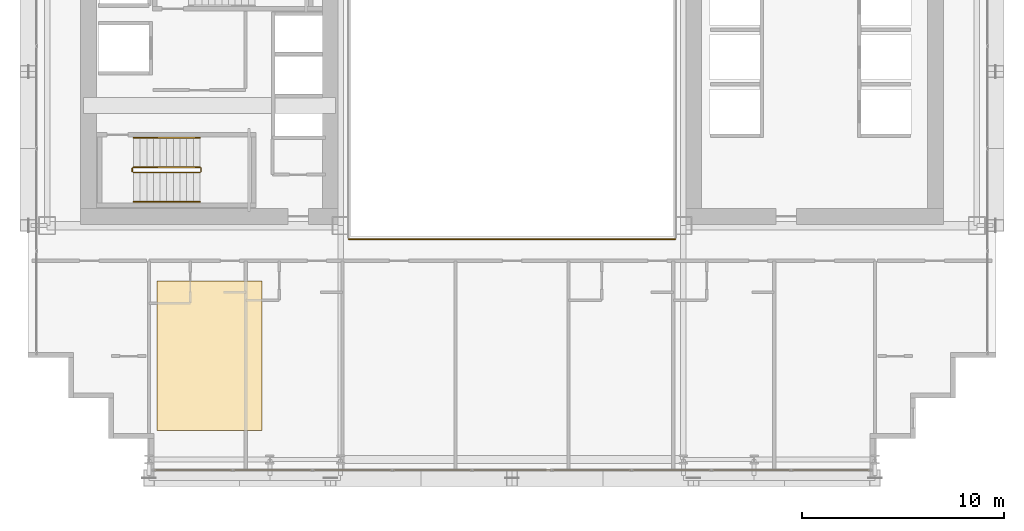
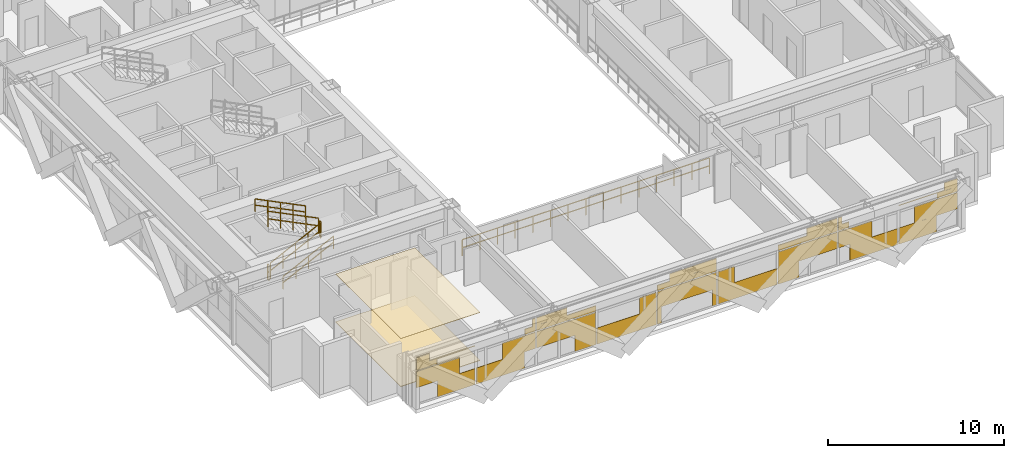
# One storey, part 35 of 38: 7 railings, 3 coverings.
"""IFC4 building model written with IfcOpenShell, lengths in metres."""

from ifc_helpers import new_model, si_unit, direction, frame, origin, origin_2d, place, context, subcontext, project, spatial, polyline, rectangle, outline, extrude, material, layer, layer_set, type_object, element, save


model = new_model("IFC4")

# Units and contexts
model_context = context("Model", 3, precision=1e-05, world=origin(), true_north=direction((0.0, 1.0)))
body_context = subcontext(model_context, "Body", "Model", "MODEL_VIEW")
ifc_project = project(units=[si_unit("LENGTHUNIT", "METRE"), si_unit("AREAUNIT", "SQUARE_METRE"), si_unit("VOLUMEUNIT", "CUBIC_METRE"), si_unit("PLANEANGLEUNIT", "RADIAN"), si_unit("MASSUNIT", "GRAM", prefix="KILO")], contexts=[model_context])

# Site, building, storey
site_placement = place(None, origin())
site = spatial("IfcSite", under=ifc_project, at=site_placement, CompositionType="ELEMENT")
building_placement = place(site_placement, origin())
building = spatial("IfcBuilding", under=site, at=building_placement, Name="Ocotamira Hotel", CompositionType="ELEMENT")
storey_placement = place(building_placement, frame((0.0, 0.0, 74.39990234375)))
storey = spatial("IfcBuildingStorey", under=building, at=storey_placement, Name="L18", CompositionType="ELEMENT", Elevation=74.39990234375)

# Coverings
ifc_material_1 = material(Name="Perforated acoustic gypsum ceiling board", Category="gypsum")
ifc_layer_1 = layer(ifc_material_1, 0.02490234375)
ifc_layer_set_1 = layer_set([ifc_layer_1], Name="Perforated acoustic gypsum ceiling board")
covering_type_1 = type_object("IfcCoveringType", Name="COV-CEIL-25", PredefinedType="CEILING", material=ifc_layer_set_1)
covering_1_placement = place(storey_placement, frame((0.0, 0.0, 3.3251953125)))
element("IfcCovering", 1, at=covering_1_placement, inside=storey, type_object=covering_type_1, Name="L18 Acoustic Ceiling", PredefinedType="CEILING", context=body_context, shape_type="SweptSolid", body=[
    extrude(outline(polyline([(14.39990234375, 4.39990234375), (19.60009765625, 4.39990234375), (19.60009765625, 11.800048828125), (14.39990234375, 11.800048828125), (14.39990234375, 4.39990234375)])), origin(), (0.0, 0.0, 1.0), 0.02490234375),
])
ifc_material_2 = material(Name="Honed desert travertine stone flooring", Category="masonry")
ifc_layer_2 = layer(ifc_material_2, 0.030029296875)
ifc_layer_set_2 = layer_set([ifc_layer_2], Name="Honed desert travertine stone flooring")
covering_type_2 = type_object("IfcCoveringType", Name="COV-FLOR-30", PredefinedType="FLOORING", material=ifc_layer_set_2)
covering_2_placement = place(storey_placement, origin())
element("IfcCovering", 2, at=covering_2_placement, inside=storey, type_object=covering_type_2, Name="L18 Honed Stone Floor Finish", PredefinedType="FLOORING", context=body_context, shape_type="SweptSolid", body=[
    extrude(outline(polyline([(14.39990234375, 4.39990234375), (19.60009765625, 4.39990234375), (19.60009765625, 11.800048828125), (14.39990234375, 11.800048828125), (14.39990234375, 4.39990234375)])), origin(), (0.0, 0.0, 1.0), 0.030029296875),
])
ifc_material_3 = material(Name="Insulated pale-metal aluminium spandrel panel", Category="aluminium")
ifc_layer_3 = layer(ifc_material_3, 0.044921875)
ifc_layer_set_3 = layer_set([ifc_layer_3], Name="Insulated pale-metal aluminium spandrel panel")
covering_type_3 = type_object("IfcCoveringType", Name="COV-INFILL-45", PredefinedType="CLADDING", material=ifc_layer_set_3)
covering_3_placement = place(storey_placement, origin())
element("IfcCovering", 3, at=covering_3_placement, inside=storey, type_object=covering_type_3, Name="L18 Curtain Wall Infill CW-2 CW-L18-S1", PredefinedType="CLADDING", context=body_context, shape_type="SweptSolid", body=[
    extrude(rectangle(XDim=2.822265625, YDim=0.044921875, at=origin_2d()), frame((15.691650390625, 2.419921875, 1.1943359375), z_axis=(0.0, 0.0, 1.0), x_axis=(1.0, 0.0, 0.0)), (0.0, 0.0, 1.0), 1.117919921875),
    extrude(rectangle(XDim=2.4521484375, YDim=0.044921875, at=origin_2d()), frame((16.888916015625, 2.419921875, 0.07568359375), z_axis=(0.0, 0.0, 1.0), x_axis=(1.0, 0.0, 0.0)), (0.0, 0.0, 1.0), 1.117919921875),
    extrude(rectangle(XDim=1.330078125, YDim=0.044921875, at=origin_2d()), frame((14.945556640625, 2.419921875, 2.38818359375), z_axis=(0.0, 0.0, 1.0), x_axis=(1.0, 0.0, 0.0)), (0.0, 0.0, 1.0), 0.344482421875),
    extrude(rectangle(XDim=3.834716796875, YDim=0.044921875, at=origin_2d()), frame((16.19775390625, 2.419921875, 2.733642578125), z_axis=(0.0, 0.0, 1.0), x_axis=(1.0, 0.0, 0.0)), (0.0, 0.0, 1.0), 0.0302734375),
    extrude(rectangle(XDim=0.859130859375, YDim=0.044921875, at=origin_2d()), frame((14.7099609375, 2.419921875, 2.764892578125), z_axis=(0.0, 0.0, 1.0), x_axis=(1.0, 0.0, 0.0)), (0.0, 0.0, 1.0), 0.509765625),
    extrude(rectangle(XDim=3.14111328125, YDim=0.044921875, at=origin_2d()), frame((19.7666015625, 2.419921875, 0.07568359375), z_axis=(0.0, 0.0, 1.0), x_axis=(1.0, 0.0, 0.0)), (0.0, 0.0, 1.0), 1.117919921875),
    extrude(rectangle(XDim=2.17333984375, YDim=0.044921875, at=origin_2d()), frame((20.98388671875, 2.419921875, 1.1943359375), z_axis=(0.0, 0.0, 1.0), x_axis=(1.0, 0.0, 0.0)), (0.0, 0.0, 1.0), 1.117919921875),
    extrude(rectangle(XDim=0.68115234375, YDim=0.044921875, at=origin_2d()), frame((21.72998046875, 2.419921875, 2.38818359375), z_axis=(0.0, 0.0, 1.0), x_axis=(1.0, 0.0, 0.0)), (0.0, 0.0, 1.0), 0.375732421875),
    extrude(rectangle(XDim=0.210205078125, YDim=0.044921875, at=origin_2d()), frame((21.965576171875, 2.419921875, 2.764892578125), z_axis=(0.0, 0.0, 1.0), x_axis=(1.0, 0.0, 0.0)), (0.0, 0.0, 1.0), 0.509765625),
    extrude(rectangle(XDim=3.87451171875, YDim=0.044921875, at=origin_2d()), frame((24.0888671875, 2.419921875, 1.1943359375), z_axis=(0.0, 0.0, 1.0), x_axis=(1.0, 0.0, 0.0)), (0.0, 0.0, 1.0), 1.117919921875),
    extrude(rectangle(XDim=1.36328125, YDim=0.044921875, at=origin_2d()), frame((25.344482421875, 2.419921875, 0.07568359375), z_axis=(0.0, 0.0, 1.0), x_axis=(1.0, 0.0, 0.0)), (0.0, 0.0, 1.0), 1.117919921875),
    extrude(rectangle(XDim=3.87451171875, YDim=0.044921875, at=origin_2d()), frame((24.0888671875, 2.419921875, 2.38818359375), z_axis=(0.0, 0.0, 1.0), x_axis=(1.0, 0.0, 0.0)), (0.0, 0.0, 1.0), 0.375732421875),
    extrude(rectangle(XDim=1.988037109375, YDim=0.044921875, at=origin_2d()), frame((23.1455078125, 2.419921875, 2.764892578125), z_axis=(0.0, 0.0, 1.0), x_axis=(1.0, 0.0, 0.0)), (0.0, 0.0, 1.0), 0.509765625),
    extrude(rectangle(XDim=3.87451171875, YDim=0.044921875, at=origin_2d()), frame((28.04443359375, 2.419921875, 0.07568359375), z_axis=(0.0, 0.0, 1.0), x_axis=(1.0, 0.0, 0.0)), (0.0, 0.0, 1.0), 1.117919921875),
    extrude(rectangle(XDim=1.08447265625, YDim=0.044921875, at=origin_2d()), frame((29.439453125, 2.419921875, 1.1943359375), z_axis=(0.0, 0.0, 1.0), x_axis=(1.0, 0.0, 0.0)), (0.0, 0.0, 1.0), 1.117919921875),
    extrude(rectangle(XDim=0.2744140625, YDim=0.044921875, at=origin_2d()), frame((30.199951171875, 2.419921875, 0.07568359375), z_axis=(0.0, 0.0, 1.0), x_axis=(1.0, 0.0, 0.0)), (0.0, 0.0, 1.0), 1.117919921875),
    extrude(rectangle(XDim=3.87451171875, YDim=0.044921875, at=origin_2d()), frame((32.0, 2.419921875, 1.1943359375), z_axis=(0.0, 0.0, 1.0), x_axis=(1.0, 0.0, 0.0)), (0.0, 0.0, 1.0), 1.117919921875),
    extrude(rectangle(XDim=0.2744140625, YDim=0.044921875, at=origin_2d()), frame((33.800048828125, 2.419921875, 0.07568359375), z_axis=(0.0, 0.0, 1.0), x_axis=(1.0, 0.0, 0.0)), (0.0, 0.0, 1.0), 1.117919921875),
    extrude(rectangle(XDim=3.87451171875, YDim=0.044921875, at=origin_2d()), frame((32.0, 2.419921875, 2.38818359375), z_axis=(0.0, 0.0, 1.0), x_axis=(1.0, 0.0, 0.0)), (0.0, 0.0, 1.0), 0.375732421875),
    extrude(rectangle(XDim=3.076904296875, YDim=0.044921875, at=origin_2d()), frame((32.39892578125, 2.419921875, 2.764892578125), z_axis=(0.0, 0.0, 1.0), x_axis=(1.0, 0.0, 0.0)), (0.0, 0.0, 1.0), 0.509765625),
    extrude(rectangle(XDim=3.87451171875, YDim=0.044921875, at=origin_2d()), frame((35.95556640625, 2.419921875, 0.07568359375), z_axis=(0.0, 0.0, 1.0), x_axis=(1.0, 0.0, 0.0)), (0.0, 0.0, 1.0), 1.117919921875),
    extrude(rectangle(XDim=1.08447265625, YDim=0.044921875, at=origin_2d()), frame((34.560546875, 2.419921875, 1.1943359375), z_axis=(0.0, 0.0, 1.0), x_axis=(1.0, 0.0, 0.0)), (0.0, 0.0, 1.0), 1.117919921875),
    extrude(rectangle(XDim=1.36328125, YDim=0.044921875, at=origin_2d()), frame((38.655517578125, 2.419921875, 0.07568359375), z_axis=(0.0, 0.0, 1.0), x_axis=(1.0, 0.0, 0.0)), (0.0, 0.0, 1.0), 1.117919921875),
    extrude(rectangle(XDim=3.87451171875, YDim=0.044921875, at=origin_2d()), frame((39.9111328125, 2.419921875, 1.1943359375), z_axis=(0.0, 0.0, 1.0), x_axis=(1.0, 0.0, 0.0)), (0.0, 0.0, 1.0), 1.117919921875),
    extrude(rectangle(XDim=3.87451171875, YDim=0.044921875, at=origin_2d()), frame((39.9111328125, 2.419921875, 2.38818359375), z_axis=(0.0, 0.0, 1.0), x_axis=(1.0, 0.0, 0.0)), (0.0, 0.0, 1.0), 0.375732421875),
    extrude(rectangle(XDim=1.988037109375, YDim=0.044921875, at=origin_2d()), frame((40.8544921875, 2.419921875, 2.764892578125), z_axis=(0.0, 0.0, 1.0), x_axis=(1.0, 0.0, 0.0)), (0.0, 0.0, 1.0), 0.509765625),
    extrude(rectangle(XDim=2.17333984375, YDim=0.044921875, at=origin_2d()), frame((43.01611328125, 2.419921875, 1.1943359375), z_axis=(0.0, 0.0, 1.0), x_axis=(1.0, 0.0, 0.0)), (0.0, 0.0, 1.0), 1.117919921875),
    extrude(rectangle(XDim=3.14111328125, YDim=0.044921875, at=origin_2d()), frame((44.2333984375, 2.419921875, 0.07568359375), z_axis=(0.0, 0.0, 1.0), x_axis=(1.0, 0.0, 0.0)), (0.0, 0.0, 1.0), 1.117919921875),
    extrude(rectangle(XDim=0.68115234375, YDim=0.044921875, at=origin_2d()), frame((42.27001953125, 2.419921875, 2.38818359375), z_axis=(0.0, 0.0, 1.0), x_axis=(1.0, 0.0, 0.0)), (0.0, 0.0, 1.0), 0.375732421875),
    extrude(rectangle(XDim=0.210205078125, YDim=0.044921875, at=origin_2d()), frame((42.034423828125, 2.419921875, 2.764892578125), z_axis=(0.0, 0.0, 1.0), x_axis=(1.0, 0.0, 0.0)), (0.0, 0.0, 1.0), 0.509765625),
    extrude(rectangle(XDim=2.4521484375, YDim=0.044921875, at=origin_2d()), frame((47.111083984375, 2.419921875, 0.07568359375), z_axis=(0.0, 0.0, 1.0), x_axis=(1.0, 0.0, 0.0)), (0.0, 0.0, 1.0), 1.117919921875),
    extrude(rectangle(XDim=2.822265625, YDim=0.044921875, at=origin_2d()), frame((48.308349609375, 2.419921875, 1.1943359375), z_axis=(0.0, 0.0, 1.0), x_axis=(1.0, 0.0, 0.0)), (0.0, 0.0, 1.0), 1.117919921875),
    extrude(rectangle(XDim=3.834716796875, YDim=0.044921875, at=origin_2d()), frame((47.80224609375, 2.419921875, 2.733642578125), z_axis=(0.0, 0.0, 1.0), x_axis=(1.0, 0.0, 0.0)), (0.0, 0.0, 1.0), 0.0302734375),
    extrude(rectangle(XDim=1.330078125, YDim=0.044921875, at=origin_2d()), frame((49.054443359375, 2.419921875, 2.38818359375), z_axis=(0.0, 0.0, 1.0), x_axis=(1.0, 0.0, 0.0)), (0.0, 0.0, 1.0), 0.344482421875),
    extrude(rectangle(XDim=0.859130859375, YDim=0.044921875, at=origin_2d()), frame((49.2900390625, 2.419921875, 2.764892578125), z_axis=(0.0, 0.0, 1.0), x_axis=(1.0, 0.0, 0.0)), (0.0, 0.0, 1.0), 0.509765625),
])

# Railings
ifc_material_4 = material(Name="Painted steel stair guardrail", Category="steel")
railing_type_1 = type_object("IfcRailingType", Name="RL-EDGE-1150", PredefinedType="GUARDRAIL", material=ifc_material_4)
railing_1_placement = place(storey_placement, frame((23.89990234375, 13.8798828125, 0.0)))
element("IfcRailing", 4, at=railing_1_placement, inside=storey, type_object=railing_type_1, Name="L18 Central Atrium Edge Guardrail S", PredefinedType="GUARDRAIL", context=body_context, shape_type="SweptSolid", body=[
    extrude(rectangle(XDim=0.048095703125, YDim=0.048095703125, at=origin_2d()), frame((0.0, 0.0, 1.1259765625), z_axis=(1.0, 0.0, 0.0), x_axis=(0.0, 1.0, 0.0)), (0.0, 0.0, 1.0), 16.2001953125),
    extrude(rectangle(XDim=0.048095703125, YDim=0.048095703125, at=origin_2d()), frame((0.0, 0.0, 0.574951171875), z_axis=(1.0, 0.0, 0.0), x_axis=(0.0, 1.0, 0.0)), (0.0, 0.0, 1.0), 16.2001953125),
    extrude(rectangle(XDim=0.0419921875, YDim=0.0419921875, at=origin_2d()), origin(), (0.0, 0.0, 1.0), 1.101806640625),
    extrude(rectangle(XDim=0.0419921875, YDim=0.0419921875, at=origin_2d()), frame((1.1572265625, 0.0, 0.0)), (0.0, 0.0, 1.0), 1.101806640625),
    extrude(rectangle(XDim=0.0419921875, YDim=0.0419921875, at=origin_2d()), frame((2.314208984375, 0.0, 0.0)), (0.0, 0.0, 1.0), 1.101806640625),
    extrude(rectangle(XDim=0.0419921875, YDim=0.0419921875, at=origin_2d()), frame((3.471435546875, 0.0, 0.0)), (0.0, 0.0, 1.0), 1.101806640625),
    extrude(rectangle(XDim=0.0419921875, YDim=0.0419921875, at=origin_2d()), frame((4.628662109375, 0.0, 0.0)), (0.0, 0.0, 1.0), 1.101806640625),
    extrude(rectangle(XDim=0.0419921875, YDim=0.0419921875, at=origin_2d()), frame((5.785888671875, 0.0, 0.0)), (0.0, 0.0, 1.0), 1.101806640625),
    extrude(rectangle(XDim=0.0419921875, YDim=0.0419921875, at=origin_2d()), frame((6.94287109375, 0.0, 0.0)), (0.0, 0.0, 1.0), 1.101806640625),
    extrude(rectangle(XDim=0.0419921875, YDim=0.0419921875, at=origin_2d()), frame((8.10009765625, 0.0, 0.0)), (0.0, 0.0, 1.0), 1.101806640625),
    extrude(rectangle(XDim=0.0419921875, YDim=0.0419921875, at=origin_2d()), frame((9.25732421875, 0.0, 0.0)), (0.0, 0.0, 1.0), 1.101806640625),
    extrude(rectangle(XDim=0.0419921875, YDim=0.0419921875, at=origin_2d()), frame((10.414306640625, 0.0, 0.0)), (0.0, 0.0, 1.0), 1.101806640625),
    extrude(rectangle(XDim=0.0419921875, YDim=0.0419921875, at=origin_2d()), frame((11.571533203125, 0.0, 0.0)), (0.0, 0.0, 1.0), 1.101806640625),
    extrude(rectangle(XDim=0.0419921875, YDim=0.0419921875, at=origin_2d()), frame((12.728759765625, 0.0, 0.0)), (0.0, 0.0, 1.0), 1.101806640625),
    extrude(rectangle(XDim=0.0419921875, YDim=0.0419921875, at=origin_2d()), frame((13.885986328125, 0.0, 0.0)), (0.0, 0.0, 1.0), 1.101806640625),
    extrude(rectangle(XDim=0.0419921875, YDim=0.0419921875, at=origin_2d()), frame((15.04296875, 0.0, 0.0)), (0.0, 0.0, 1.0), 1.101806640625),
    extrude(rectangle(XDim=0.0419921875, YDim=0.0419921875, at=origin_2d()), frame((16.2001953125, 0.0, 0.0)), (0.0, 0.0, 1.0), 1.101806640625),
])
ifc_material_5 = material(Name="Brushed stainless steel handrail", Category="steel")
railing_type_2 = type_object("IfcRailingType", Name="RL-HAND-900", PredefinedType="HANDRAIL", material=ifc_material_5)
railing_2_placement = place(storey_placement, frame((13.22998046875, 15.719970703125, 0.327392578125)))
element("IfcRailing", 5, at=railing_2_placement, inside=storey, type_object=railing_type_2, Name="L18 ST-1 stair handrail 1", PredefinedType="HANDRAIL", context=body_context, shape_type="SweptSolid", body=[
    extrude(rectangle(XDim=0.048095703125, YDim=0.048095703125, at=origin_2d()), frame((0.0, 0.0, 0.8759765625), z_axis=(0.895920123917, 0.0, 0.444215186098), x_axis=(0.0, 1.0, 0.0)), (0.0, 0.0, 1.0), 3.683349609375),
    extrude(rectangle(XDim=0.048095703125, YDim=0.048095703125, at=origin_2d()), frame((0.0, 0.0, 0.449951171875), z_axis=(0.895920123917, 0.0, 0.444215186098), x_axis=(0.0, 1.0, 0.0)), (0.0, 0.0, 1.0), 3.683349609375),
    extrude(rectangle(XDim=0.0419921875, YDim=0.0419921875, at=origin_2d()), origin(), (0.0, 0.0, 1.0), 0.851806640625),
    extrude(rectangle(XDim=0.0419921875, YDim=0.0419921875, at=origin_2d()), frame((0.824951171875, 0.0, 0.4091796875)), (0.0, 0.0, 1.0), 0.851806640625),
    extrude(rectangle(XDim=0.0419921875, YDim=0.0419921875, at=origin_2d()), frame((1.64990234375, 0.0, 0.818115234375)), (0.0, 0.0, 1.0), 0.851806640625),
    extrude(rectangle(XDim=0.0419921875, YDim=0.0419921875, at=origin_2d()), frame((2.47509765625, 0.0, 1.22705078125)), (0.0, 0.0, 1.0), 0.851806640625),
    extrude(rectangle(XDim=0.0419921875, YDim=0.0419921875, at=origin_2d()), frame((3.300048828125, 0.0, 1.63623046875)), (0.0, 0.0, 1.0), 0.851806640625),
])
railing_3_placement = place(storey_placement, frame((16.530029296875, 18.89990234375, 2.12744140625)))
element("IfcRailing", 6, at=railing_3_placement, inside=storey, type_object=railing_type_2, Name="L18 ST-1 stair handrail 2", PredefinedType="HANDRAIL", context=body_context, shape_type="SweptSolid", body=[
    extrude(rectangle(XDim=0.048095703125, YDim=0.048095703125, at=origin_2d()), frame((0.0, 0.0, 0.8759765625), z_axis=(-0.895920123917, 0.0, 0.444215186098), x_axis=(0.0, -1.0, 0.0)), (0.0, 0.0, 1.0), 3.683349609375),
    extrude(rectangle(XDim=0.048095703125, YDim=0.048095703125, at=origin_2d()), frame((0.0, 0.0, 0.449951171875), z_axis=(-0.895920123917, 0.0, 0.444215186098), x_axis=(0.0, -1.0, 0.0)), (0.0, 0.0, 1.0), 3.683349609375),
    extrude(rectangle(XDim=0.0419921875, YDim=0.0419921875, at=origin_2d()), origin(), (0.0, 0.0, 1.0), 0.851806640625),
    extrude(rectangle(XDim=0.0419921875, YDim=0.0419921875, at=origin_2d()), frame((-0.824951171875, 0.0, 0.4091796875)), (0.0, 0.0, 1.0), 0.851806640625),
    extrude(rectangle(XDim=0.0419921875, YDim=0.0419921875, at=origin_2d()), frame((-1.64990234375, 0.0, 0.818115234375)), (0.0, 0.0, 1.0), 0.851806640625),
    extrude(rectangle(XDim=0.0419921875, YDim=0.0419921875, at=origin_2d()), frame((-2.47509765625, 0.0, 1.22705078125)), (0.0, 0.0, 1.0), 0.851806640625),
    extrude(rectangle(XDim=0.0419921875, YDim=0.0419921875, at=origin_2d()), frame((-3.300048828125, 0.0, 1.63623046875)), (0.0, 0.0, 1.0), 0.851806640625),
])
railing_type_3 = type_object("IfcRailingType", Name="RL-STAIR-1100", PredefinedType="GUARDRAIL", material=ifc_material_4)
railing_4_placement = place(storey_placement, frame((13.22998046875, 17.179931640625, 0.163818359375)))
element("IfcRailing", 7, at=railing_4_placement, inside=storey, type_object=railing_type_3, Name="L18 ST-1 stair guard 1", PredefinedType="GUARDRAIL", context=body_context, shape_type="SweptSolid", body=[
    extrude(rectangle(XDim=0.048095703125, YDim=0.048095703125, at=origin_2d()), frame((0.0, 0.0, 1.076171875), z_axis=(0.895920123917, 0.0, 0.444215186098), x_axis=(0.0, 1.0, 0.0)), (0.0, 0.0, 1.0), 3.683349609375),
    extrude(rectangle(XDim=0.048095703125, YDim=0.048095703125, at=origin_2d()), frame((0.0, 0.0, 0.550048828125), z_axis=(0.895920123917, 0.0, 0.444215186098), x_axis=(0.0, 1.0, 0.0)), (0.0, 0.0, 1.0), 3.683349609375),
    extrude(rectangle(XDim=0.0419921875, YDim=0.0419921875, at=origin_2d()), origin(), (0.0, 0.0, 1.0), 1.052001953125),
    extrude(rectangle(XDim=0.0419921875, YDim=0.0419921875, at=origin_2d()), frame((0.824951171875, 0.0, 0.4091796875)), (0.0, 0.0, 1.0), 1.052001953125),
    extrude(rectangle(XDim=0.0419921875, YDim=0.0419921875, at=origin_2d()), frame((1.64990234375, 0.0, 0.818115234375)), (0.0, 0.0, 1.0), 1.052001953125),
    extrude(rectangle(XDim=0.0419921875, YDim=0.0419921875, at=origin_2d()), frame((2.47509765625, 0.0, 1.22705078125)), (0.0, 0.0, 1.0), 1.052001953125),
    extrude(rectangle(XDim=0.0419921875, YDim=0.0419921875, at=origin_2d()), frame((3.300048828125, 0.0, 1.63623046875)), (0.0, 0.0, 1.0), 1.052001953125),
])
railing_5_placement = place(storey_placement, frame((16.580078125, 17.22998046875, 1.800048828125)))
element("IfcRailing", 8, at=railing_5_placement, inside=storey, type_object=railing_type_3, Name="L18 ST-1 stair guard 2", PredefinedType="GUARDRAIL", context=body_context, shape_type="SweptSolid", body=[
    extrude(rectangle(XDim=0.048095703125, YDim=0.048095703125, at=origin_2d()), frame((0.0, 0.0, 1.076171875), z_axis=(0.0, 1.0, 0.0), x_axis=(-1.0, 0.0, 0.0)), (0.0, 0.0, 1.0), 0.159912109375),
    extrude(rectangle(XDim=0.048095703125, YDim=0.048095703125, at=origin_2d()), frame((0.0, 0.0, 0.550048828125), z_axis=(0.0, 1.0, 0.0), x_axis=(-1.0, 0.0, 0.0)), (0.0, 0.0, 1.0), 0.159912109375),
    extrude(rectangle(XDim=0.0419921875, YDim=0.0419921875, at=origin_2d()), origin(), (0.0, 0.0, 1.0), 1.052001953125),
    extrude(rectangle(XDim=0.0419921875, YDim=0.0419921875, at=origin_2d()), frame((0.0, 0.159912109375, 0.0)), (0.0, 0.0, 1.0), 1.052001953125),
])
railing_6_placement = place(storey_placement, frame((16.530029296875, 17.43994140625, 1.963623046875)))
element("IfcRailing", 9, at=railing_6_placement, inside=storey, type_object=railing_type_3, Name="L18 ST-1 stair guard 3", PredefinedType="GUARDRAIL", context=body_context, shape_type="SweptSolid", body=[
    extrude(rectangle(XDim=0.048095703125, YDim=0.048095703125, at=origin_2d()), frame((0.0, 0.0, 1.076171875), z_axis=(-0.895893744519, 0.0, 0.4442683857), x_axis=(0.0, -1.0, 0.0)), (0.0, 0.0, 1.0), 3.68359375),
    extrude(rectangle(XDim=0.048095703125, YDim=0.048095703125, at=origin_2d()), frame((0.0, 0.0, 0.550048828125), z_axis=(-0.895893744519, 0.0, 0.4442683857), x_axis=(0.0, -1.0, 0.0)), (0.0, 0.0, 1.0), 3.68359375),
    extrude(rectangle(XDim=0.0419921875, YDim=0.0419921875, at=origin_2d()), origin(), (0.0, 0.0, 1.0), 1.052001953125),
    extrude(rectangle(XDim=0.0419921875, YDim=0.0419921875, at=origin_2d()), frame((-0.824951171875, 0.0, 0.4091796875)), (0.0, 0.0, 1.0), 1.052001953125),
    extrude(rectangle(XDim=0.0419921875, YDim=0.0419921875, at=origin_2d()), frame((-1.64990234375, 0.0, 0.818359375)), (0.0, 0.0, 1.0), 1.052001953125),
    extrude(rectangle(XDim=0.0419921875, YDim=0.0419921875, at=origin_2d()), frame((-2.47509765625, 0.0, 1.227294921875)), (0.0, 0.0, 1.0), 1.052001953125),
    extrude(rectangle(XDim=0.0419921875, YDim=0.0419921875, at=origin_2d()), frame((-3.300048828125, 0.0, 1.636474609375)), (0.0, 0.0, 1.0), 1.052001953125),
])
railing_7_placement = place(storey_placement, frame((13.179931640625, 17.22998046875, 0.0)))
element("IfcRailing", 10, at=railing_7_placement, inside=storey, type_object=railing_type_3, Name="L18 ST-1 stair guard 4", PredefinedType="GUARDRAIL", context=body_context, shape_type="SweptSolid", body=[
    extrude(rectangle(XDim=0.048095703125, YDim=0.048095703125, at=origin_2d()), frame((0.0, 0.0, 1.076171875), z_axis=(0.0, 1.0, 0.0), x_axis=(-1.0, 0.0, 0.0)), (0.0, 0.0, 1.0), 0.159912109375),
    extrude(rectangle(XDim=0.048095703125, YDim=0.048095703125, at=origin_2d()), frame((0.0, 0.0, 0.550048828125), z_axis=(0.0, 1.0, 0.0), x_axis=(-1.0, 0.0, 0.0)), (0.0, 0.0, 1.0), 0.159912109375),
    extrude(rectangle(XDim=0.0419921875, YDim=0.0419921875, at=origin_2d()), origin(), (0.0, 0.0, 1.0), 1.052001953125),
    extrude(rectangle(XDim=0.0419921875, YDim=0.0419921875, at=origin_2d()), frame((0.0, 0.159912109375, 0.0)), (0.0, 0.0, 1.0), 1.052001953125),
])

save(model, "model.ifc")
